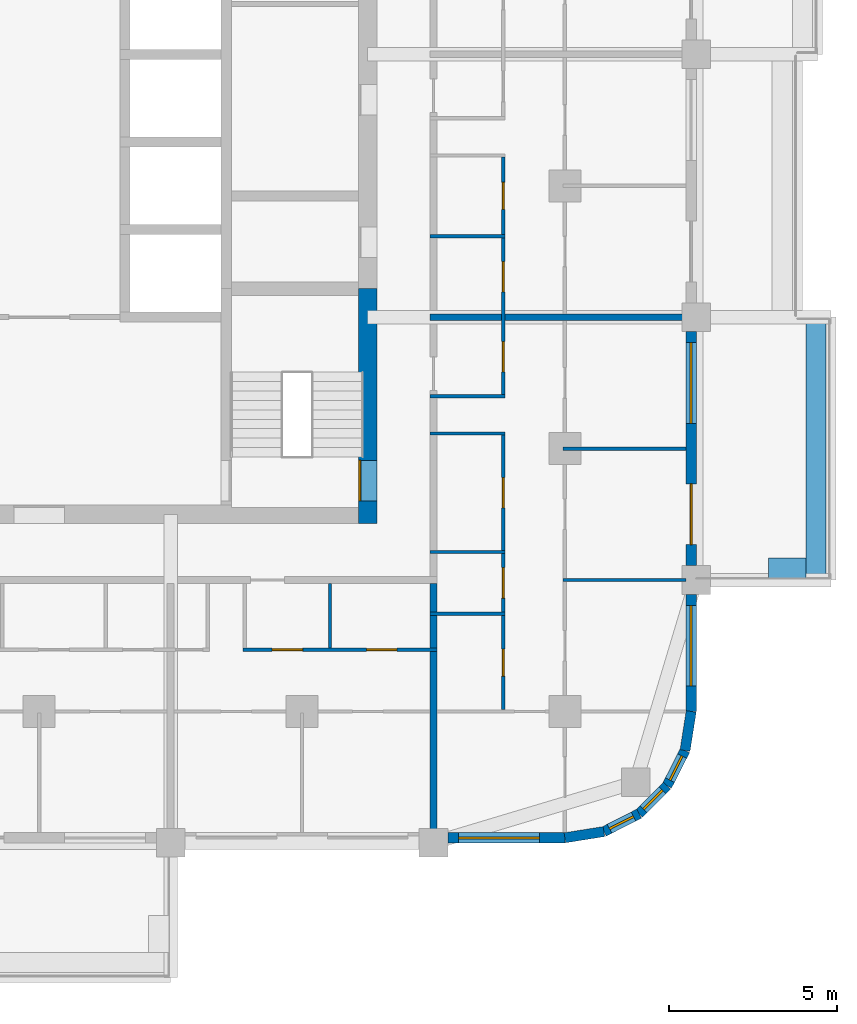
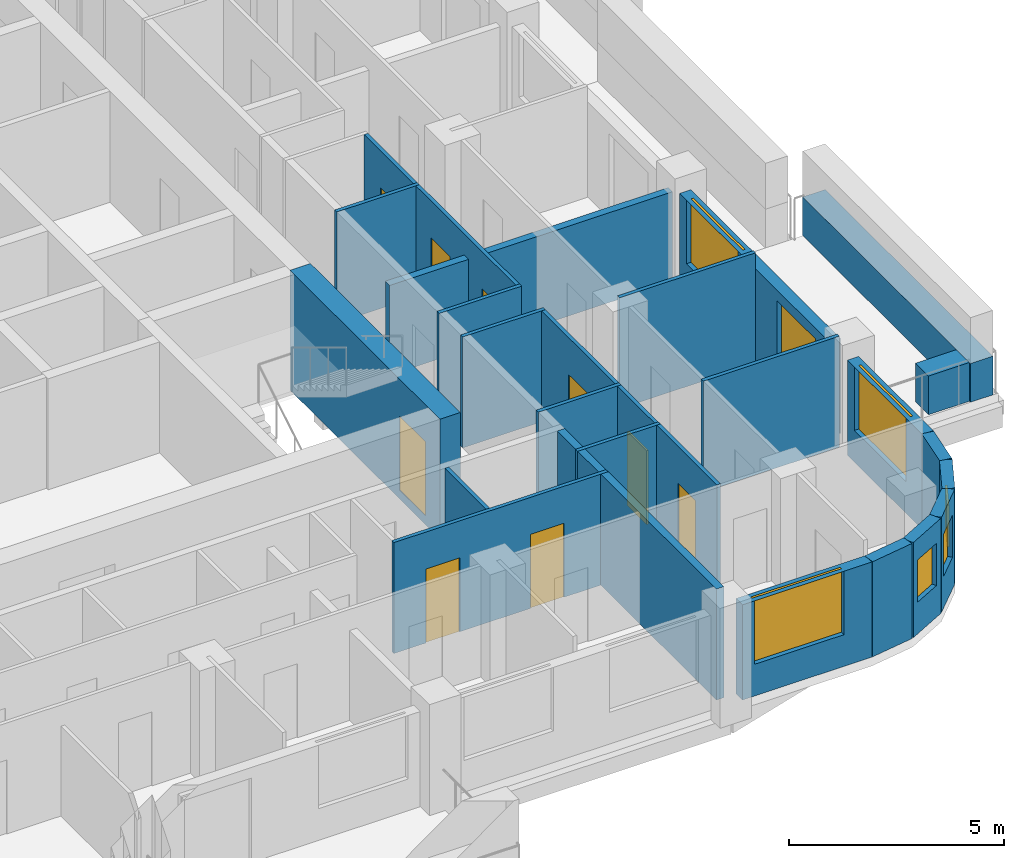
# One storey, part 6 of 14: 24 walls, 10 doors, 6 windows, 16 openings.
"""IFC4 building model written with IfcOpenShell, lengths in metres."""

from ifc_helpers import new_model, si_unit, direction, frame, frame_2d, origin, place, context, subcontext, project, spatial, rectangle, extrude, material, layer, layer_set, type_object, element, fill, save


model = new_model("IFC4")

# Units and contexts
model_context = context("Model", 3, precision=1e-05, world=origin(), true_north=direction((0.0, 1.0)))
body_context = subcontext(model_context, "Body", "Model", "MODEL_VIEW")
ifc_project = project(units=[si_unit("LENGTHUNIT", "METRE"), si_unit("AREAUNIT", "SQUARE_METRE"), si_unit("VOLUMEUNIT", "CUBIC_METRE"), si_unit("PLANEANGLEUNIT", "RADIAN"), si_unit("MASSUNIT", "GRAM", prefix="KILO")], contexts=[model_context])

# Site, building, storey
site_placement = place(None, origin())
site = spatial("IfcSite", under=ifc_project, at=site_placement, CompositionType="ELEMENT")
building_placement = place(site_placement, origin())
building = spatial("IfcBuilding", under=site, at=building_placement, Name="Ludao Terraces", CompositionType="ELEMENT")
storey_placement = place(building_placement, frame((0.0, 0.0, 103.300048828125)))
storey = spatial("IfcBuildingStorey", under=building, at=storey_placement, Name="L28", CompositionType="ELEMENT", Elevation=103.300048828125)

# Wall, opening, door
ifc_material_1 = material(Name="Concrete C60", Category="concrete")
ifc_layer_1 = layer(ifc_material_1, 0.550048828125)
ifc_layer_set_1 = layer_set([ifc_layer_1], Name="Core wall 550 C60")
wall_type_1 = type_object("IfcWallType", Name="Core wall 550 C60", PredefinedType="SOLIDWALL", material=ifc_layer_set_1)
wall_1_placement = place(storey_placement, frame((94.75, 54.97509765625, -0.25), z_axis=(0.0, 0.0, 1.0), x_axis=(0.0, 1.0, 0.0)))
wall_1 = element("IfcWall", 1, at=wall_1_placement, inside=storey, type_object=wall_type_1, Name="Core wall L28 outer-E-S3", PredefinedType="SOLIDWALL", context=body_context, shape_type="SweptSolid", body=[
    extrude(rectangle(XDim=6.974853515625, YDim=0.550048828125, at=frame_2d((3.4873046875, 0.0))), origin(), (0.0, 0.0, 1.0), 3.39990234375),
])
opening_1_placement = place(wall_1_placement, frame((0.675048828125, 0.0, 0.25)))
opening_1 = element("IfcOpeningElement", 2, at=opening_1_placement, cuts=wall_1, Name="Opening R08-034", PredefinedType="OPENING", context=body_context, shape_type="SweptSolid", body=[
    extrude(rectangle(XDim=1.199951171875, YDim=2.10009765625, at=frame_2d((0.60009765625, 1.050048828125))), frame((0.0, 0.28515625, 0.0), z_axis=(0.0, -1.0, 0.0), x_axis=(1.0, 0.0, 0.0)), (0.0, 0.0, 1.0), 0.570068359375),
])
ifc_material_2 = material(Name="Steel Q235", Category="steel")
door_type_1 = type_object("IfcDoorType", Name="INT Stair door 1200", OperationType="DOUBLE_DOOR_SINGLE_SWING", PredefinedType="DOOR", material=ifc_material_2)
door_1_placement = place(opening_1_placement, origin())
door_1 = element("IfcDoor", 3, at=door_1_placement, inside=storey, type_object=door_type_1, Name="DOOR 034", OperationType="DOUBLE_DOOR_SINGLE_SWING", OverallHeight=2.10009765625, OverallWidth=1.199951171875, PredefinedType="DOOR", context=body_context, shape_type="SweptSolid", body=[
    extrude(rectangle(XDim=1.199951171875, YDim=2.10009765625, at=frame_2d((0.60009765625, 1.050048828125))), frame((0.0, 0.26025390625, 0.0), z_axis=(0.0, -1.0, 0.0), x_axis=(1.0, 0.0, 0.0)), (0.0, 0.0, 1.0), 0.050048828125),
])
fill(opening_1, door_1)

# Walls
ifc_material_3 = material(Name="Concrete C40", Category="concrete")
ifc_layer_2 = layer(ifc_material_3, 0.60009765625)
ifc_layer_set_2 = layer_set([ifc_layer_2], Name="ENV Planter trough 600")
wall_type_2 = type_object("IfcWallType", Name="ENV Planter trough 600", PredefinedType="USERDEFINED", material=ifc_layer_set_2)
wall_2_placement = place(storey_placement, frame((108.050048828125, 53.300048828125, 0.0), z_axis=(0.0, 0.0, 1.0), x_axis=(0.0, 1.0, 0.0)))
element("IfcWall", 4, at=wall_2_placement, inside=storey, type_object=wall_type_2, Name="PL-L28-E1", ObjectType="PLANTER", PredefinedType="USERDEFINED", context=body_context, shape_type="SweptSolid", body=[
    extrude(rectangle(XDim=7.800048828125, YDim=0.60009765625, at=frame_2d((3.89990234375, 0.0))), origin(), (0.0, 0.0, 1.0), 1.099853515625),
])
wall_3_placement = place(storey_placement, frame((107.75, 53.64990234375, 0.0), z_axis=(0.0, 0.0, 1.0), x_axis=(-1.0, 0.0, 0.0)))
element("IfcWall", 5, at=wall_3_placement, inside=storey, type_object=wall_type_2, Name="PL-L28-E1-SA", ObjectType="PLANTER", PredefinedType="USERDEFINED", context=body_context, shape_type="SweptSolid", body=[
    extrude(rectangle(XDim=1.10009765625, YDim=0.60009765625, at=frame_2d((0.550048828125, 0.0))), origin(), (0.0, 0.0, 1.0), 1.099853515625),
])

# Wall, opening, window
ifc_material_4 = material(Name="Granite cladding", Category="masonry")
ifc_layer_3 = layer(ifc_material_4, 0.0400390625, Category="stone")
ifc_material_5 = material(Name="Mineral wool")
ifc_layer_4 = layer(ifc_material_5, 0.06005859375)
ifc_layer_5 = layer(ifc_material_3, 0.199951171875, Category="concrete")
ifc_layer_set_3 = layer_set([ifc_layer_3, ifc_layer_4, ifc_layer_5], Name="ENV Stone-clad wall 300")
wall_type_3 = type_object("IfcWallType", Name="ENV Stone-clad wall 300", PredefinedType="SOLIDWALL", material=ifc_layer_set_3)
wall_4_placement = place(storey_placement, frame((97.125, 45.64990234375, 0.0), z_axis=(0.0, 0.0, 1.0), x_axis=(1.0, 0.0, 0.0)))
wall_4 = element("IfcWall", 6, at=wall_4_placement, inside=storey, type_object=wall_type_3, Name="EW-L28-S5", PredefinedType="SOLIDWALL", context=body_context, shape_type="SweptSolid", body=[
    extrude(rectangle(XDim=3.47509765625, YDim=0.300048828125, at=frame_2d((1.737548828125, 0.0))), origin(), (0.0, 0.0, 1.0), 2.699951171875),
])
opening_2_placement = place(wall_4_placement, frame((0.324951171875, 0.0, 0.89990234375)))
opening_2 = element("IfcOpeningElement", 7, at=opening_2_placement, cuts=wall_4, Name="Opening W1", PredefinedType="OPENING", context=body_context, shape_type="SweptSolid", body=[
    extrude(rectangle(XDim=2.39990234375, YDim=1.800048828125, at=frame_2d((1.199951171875, 0.89990234375))), frame((0.0, 0.16015625, 0.0), z_axis=(0.0, -1.0, 0.0), x_axis=(1.0, 0.0, 0.0)), (0.0, 0.0, 1.0), 0.320068359375),
])
ifc_material_6 = material(Name="Clear glass in aluminium frame", Category="aluminium")
ifc_layer_6 = layer(ifc_material_6, 0.06005859375)
ifc_layer_set_4 = layer_set([ifc_layer_6], Name="ENV Window W1 2400x1800")
window_type_1 = type_object("IfcWindowType", Name="ENV Window W1 2400x1800", PartitioningType="DOUBLE_PANEL_VERTICAL", PredefinedType="WINDOW", material=ifc_layer_set_4)
window_1_placement = place(opening_2_placement, origin())
window_1 = element("IfcWindow", 8, at=window_1_placement, inside=storey, type_object=window_type_1, Name="W-L28-S5-1", OverallHeight=1.800048828125, OverallWidth=2.39990234375, PartitioningType="DOUBLE_PANEL_VERTICAL", PredefinedType="WINDOW", context=body_context, shape_type="SweptSolid", body=[
    extrude(rectangle(XDim=2.39990234375, YDim=1.800048828125, at=frame_2d((1.199951171875, 0.89990234375))), frame((0.0, 0.030029296875, 0.0), z_axis=(0.0, -1.0, 0.0), x_axis=(1.0, 0.0, 0.0)), (0.0, 0.0, 1.0), 0.06005859375),
])
fill(opening_2, window_1)

wall_5_placement = place(storey_placement, frame((104.35009765625, 49.39990234375, 0.0), z_axis=(0.0, 0.0, 1.0), x_axis=(0.0, 1.0, 0.0)))
wall_5 = element("IfcWall", 9, at=wall_5_placement, inside=storey, type_object=wall_type_3, Name="EW-L28-E1", PredefinedType="SOLIDWALL", context=body_context, shape_type="SweptSolid", body=[
    extrude(rectangle(XDim=3.47509765625, YDim=0.300048828125, at=frame_2d((1.737548828125, 0.0))), origin(), (0.0, 0.0, 1.0), 2.699951171875),
])
opening_3_placement = place(wall_5_placement, frame((0.75, 0.0, 0.89990234375)))
opening_3 = element("IfcOpeningElement", 10, at=opening_3_placement, cuts=wall_5, Name="Opening W1", PredefinedType="OPENING", context=body_context, shape_type="SweptSolid", body=[
    extrude(rectangle(XDim=2.39990234375, YDim=1.800048828125, at=frame_2d((1.199951171875, 0.89990234375))), frame((0.0, 0.16015625, 0.0), z_axis=(0.0, -1.0, 0.0), x_axis=(1.0, 0.0, 0.0)), (0.0, 0.0, 1.0), 0.320068359375),
])
window_2_placement = place(opening_3_placement, origin())
window_2 = element("IfcWindow", 11, at=window_2_placement, inside=storey, type_object=window_type_1, Name="W-L28-E1-1", OverallHeight=1.800048828125, OverallWidth=2.39990234375, PartitioningType="DOUBLE_PANEL_VERTICAL", PredefinedType="WINDOW", context=body_context, shape_type="SweptSolid", body=[
    extrude(rectangle(XDim=2.39990234375, YDim=1.800048828125, at=frame_2d((1.199951171875, 0.89990234375))), frame((0.0, 0.030029296875, 0.0), z_axis=(0.0, -1.0, 0.0), x_axis=(1.0, 0.0, 0.0)), (0.0, 0.0, 1.0), 0.06005859375),
])
fill(opening_3, window_2)

# Wall, openings, door, window
wall_6_placement = place(storey_placement, frame((104.35009765625, 53.72509765625, 0.0), z_axis=(0.0, 0.0, 1.0), x_axis=(0.0, 1.0, 0.0)))
wall_6 = element("IfcWall", 12, at=wall_6_placement, inside=storey, type_object=wall_type_3, Name="EW-L28-E2", PredefinedType="SOLIDWALL", context=body_context, shape_type="SweptSolid", body=[
    extrude(rectangle(XDim=6.949951171875, YDim=0.300048828125, at=frame_2d((3.47509765625, 0.0))), origin(), (0.0, 0.0, 1.0), 2.699951171875),
])
opening_4_placement = place(wall_6_placement, frame((0.625, 0.0, 0.0)))
opening_4 = element("IfcOpeningElement", 13, at=opening_4_placement, cuts=wall_6, Name="Opening BD", PredefinedType="OPENING", context=body_context, shape_type="SweptSolid", body=[
    extrude(rectangle(XDim=1.800048828125, YDim=2.39990234375, at=frame_2d((0.89990234375, 1.199951171875))), frame((0.0, 0.16015625, 0.0), z_axis=(0.0, -1.0, 0.0), x_axis=(1.0, 0.0, 0.0)), (0.0, 0.0, 1.0), 0.320068359375),
])
opening_5_placement = place(wall_6_placement, frame((4.22509765625, 0.0, 0.89990234375)))
opening_5 = element("IfcOpeningElement", 14, at=opening_5_placement, cuts=wall_6, Name="Opening W1", PredefinedType="OPENING", context=body_context, shape_type="SweptSolid", body=[
    extrude(rectangle(XDim=2.39990234375, YDim=1.800048828125, at=frame_2d((1.199951171875, 0.89990234375))), frame((0.0, 0.16015625, 0.0), z_axis=(0.0, -1.0, 0.0), x_axis=(1.0, 0.0, 0.0)), (0.0, 0.0, 1.0), 0.320068359375),
])
ifc_material_7 = material(Name="Aluminium glazed door", Category="aluminium")
ifc_layer_7 = layer(ifc_material_7, 0.06005859375)
ifc_layer_set_5 = layer_set([ifc_layer_7], Name="ENV Balcony door BD 1800x2400")
door_type_2 = type_object("IfcDoorType", Name="ENV Balcony door BD 1800x2400", OperationType="DOUBLE_DOOR_SINGLE_SWING", PredefinedType="DOOR", material=ifc_layer_set_5)
door_2_placement = place(opening_4_placement, origin())
door_2 = element("IfcDoor", 15, at=door_2_placement, inside=storey, type_object=door_type_2, Name="BD-L28-E2-1", OperationType="DOUBLE_DOOR_SINGLE_SWING", OverallHeight=2.39990234375, OverallWidth=1.800048828125, PredefinedType="DOOR", context=body_context, shape_type="SweptSolid", body=[
    extrude(rectangle(XDim=1.800048828125, YDim=2.39990234375, at=frame_2d((0.89990234375, 1.199951171875))), frame((0.0, 0.02490234375, 0.0), z_axis=(0.0, -1.0, 0.0), x_axis=(1.0, 0.0, 0.0)), (0.0, 0.0, 1.0), 0.050048828125),
])
fill(opening_4, door_2)
window_3_placement = place(opening_5_placement, origin())
window_3 = element("IfcWindow", 16, at=window_3_placement, inside=storey, type_object=window_type_1, Name="W-L28-E2-2", OverallHeight=1.800048828125, OverallWidth=2.39990234375, PartitioningType="DOUBLE_PANEL_VERTICAL", PredefinedType="WINDOW", context=body_context, shape_type="SweptSolid", body=[
    extrude(rectangle(XDim=2.39990234375, YDim=1.800048828125, at=frame_2d((1.199951171875, 0.89990234375))), frame((0.0, 0.030029296875, 0.0), z_axis=(0.0, -1.0, 0.0), x_axis=(1.0, 0.0, 0.0)), (0.0, 0.0, 1.0), 0.06005859375),
])
fill(opening_5, window_3)

# Wall
wall_7_placement = place(storey_placement, frame((100.60009765625, 45.64990234375, 0.0), z_axis=(0.0, 0.0, 1.0), x_axis=(0.987678452879, 0.156496880861, 0.0)))
element("IfcWall", 17, at=wall_7_placement, inside=storey, type_object=wall_type_3, Name="EW-L28-SE1", PredefinedType="SOLIDWALL", context=body_context, shape_type="SweptSolid", body=[
    extrude(rectangle(XDim=1.173095703125, YDim=0.300048828125, at=frame_2d((0.58642578125, 0.0))), origin(), (0.0, 0.0, 1.0), 2.699951171875),
])

# Wall, opening, window
wall_8_placement = place(storey_placement, frame((101.7587890625, 45.83349609375, 0.0), z_axis=(0.0, 0.0, 1.0), x_axis=(0.890988677504, 0.454025524128, 0.0)))
wall_8 = element("IfcWall", 18, at=wall_8_placement, inside=storey, type_object=wall_type_3, Name="EW-L28-SE2", PredefinedType="SOLIDWALL", context=body_context, shape_type="SweptSolid", body=[
    extrude(rectangle(XDim=1.17333984375, YDim=0.300048828125, at=frame_2d((0.586669921875, 0.0))), origin(), (0.0, 0.0, 1.0), 2.699951171875),
])
opening_6_placement = place(wall_8_placement, frame((0.1865234375, 0.0, 0.89990234375)))
opening_6 = element("IfcOpeningElement", 19, at=opening_6_placement, cuts=wall_8, Name="Opening W3", PredefinedType="OPENING", context=body_context, shape_type="SweptSolid", body=[
    extrude(rectangle(XDim=0.800048828125, YDim=1.199951171875, at=frame_2d((0.39990234375, 0.60009765625))), frame((0.0, 0.16015625, 0.0), z_axis=(0.0, -1.0, 0.0), x_axis=(1.0, 0.0, 0.0)), (0.0, 0.0, 1.0), 0.320068359375),
])
ifc_layer_8 = layer(ifc_material_6, 0.06005859375)
ifc_layer_set_6 = layer_set([ifc_layer_8], Name="ENV Window W3 800x1200")
window_type_2 = type_object("IfcWindowType", Name="ENV Window W3 800x1200", PartitioningType="SINGLE_PANEL", PredefinedType="WINDOW", material=ifc_layer_set_6)
window_4_placement = place(opening_6_placement, origin())
window_4 = element("IfcWindow", 20, at=window_4_placement, inside=storey, type_object=window_type_2, Name="W-L28-SE2", OverallHeight=1.199951171875, OverallWidth=0.800048828125, PartitioningType="SINGLE_PANEL", PredefinedType="WINDOW", context=body_context, shape_type="SweptSolid", body=[
    extrude(rectangle(XDim=0.800048828125, YDim=1.199951171875, at=frame_2d((0.39990234375, 0.60009765625))), frame((0.0, 0.030029296875, 0.0), z_axis=(0.0, -1.0, 0.0), x_axis=(1.0, 0.0, 0.0)), (0.0, 0.0, 1.0), 0.06005859375),
])
fill(opening_6, window_4)

wall_9_placement = place(storey_placement, frame((102.80419921875, 46.3662109375, 0.0), z_axis=(0.0, 0.0, 1.0), x_axis=(0.707106781187, 0.707106781187, 0.0)))
wall_9 = element("IfcWall", 21, at=wall_9_placement, inside=storey, type_object=wall_type_3, Name="EW-L28-SE3", PredefinedType="SOLIDWALL", context=body_context, shape_type="SweptSolid", body=[
    extrude(rectangle(XDim=1.173095703125, YDim=0.300048828125, at=frame_2d((0.58642578125, 0.0))), origin(), (0.0, 0.0, 1.0), 2.699951171875),
])
opening_7_placement = place(wall_9_placement, frame((0.1865234375, 0.0, 0.89990234375)))
opening_7 = element("IfcOpeningElement", 22, at=opening_7_placement, cuts=wall_9, Name="Opening W3", PredefinedType="OPENING", context=body_context, shape_type="SweptSolid", body=[
    extrude(rectangle(XDim=0.800048828125, YDim=1.199951171875, at=frame_2d((0.39990234375, 0.60009765625))), frame((0.0, 0.16015625, 0.0), z_axis=(0.0, -1.0, 0.0), x_axis=(1.0, 0.0, 0.0)), (0.0, 0.0, 1.0), 0.320068359375),
])
window_5_placement = place(opening_7_placement, origin())
window_5 = element("IfcWindow", 23, at=window_5_placement, inside=storey, type_object=window_type_2, Name="W-L28-SE3", OverallHeight=1.199951171875, OverallWidth=0.800048828125, PartitioningType="SINGLE_PANEL", PredefinedType="WINDOW", context=body_context, shape_type="SweptSolid", body=[
    extrude(rectangle(XDim=0.800048828125, YDim=1.199951171875, at=frame_2d((0.39990234375, 0.60009765625))), frame((0.0, 0.030029296875, 0.0), z_axis=(0.0, -1.0, 0.0), x_axis=(1.0, 0.0, 0.0)), (0.0, 0.0, 1.0), 0.06005859375),
])
fill(opening_7, window_5)

wall_10_placement = place(storey_placement, frame((103.6337890625, 47.19580078125, 0.0), z_axis=(0.0, 0.0, 1.0), x_axis=(0.454025524128, 0.890988677504, 0.0)))
wall_10 = element("IfcWall", 24, at=wall_10_placement, inside=storey, type_object=wall_type_3, Name="EW-L28-SE4", PredefinedType="SOLIDWALL", context=body_context, shape_type="SweptSolid", body=[
    extrude(rectangle(XDim=1.17333984375, YDim=0.300048828125, at=frame_2d((0.586669921875, 0.0))), origin(), (0.0, 0.0, 1.0), 2.699951171875),
])
opening_8_placement = place(wall_10_placement, frame((0.1865234375, 0.0, 0.89990234375)))
opening_8 = element("IfcOpeningElement", 25, at=opening_8_placement, cuts=wall_10, Name="Opening W3", PredefinedType="OPENING", context=body_context, shape_type="SweptSolid", body=[
    extrude(rectangle(XDim=0.800048828125, YDim=1.199951171875, at=frame_2d((0.39990234375, 0.60009765625))), frame((0.0, 0.16015625, 0.0), z_axis=(0.0, -1.0, 0.0), x_axis=(1.0, 0.0, 0.0)), (0.0, 0.0, 1.0), 0.320068359375),
])
window_6_placement = place(opening_8_placement, origin())
window_6 = element("IfcWindow", 26, at=window_6_placement, inside=storey, type_object=window_type_2, Name="W-L28-SE4", OverallHeight=1.199951171875, OverallWidth=0.800048828125, PartitioningType="SINGLE_PANEL", PredefinedType="WINDOW", context=body_context, shape_type="SweptSolid", body=[
    extrude(rectangle(XDim=0.800048828125, YDim=1.199951171875, at=frame_2d((0.39990234375, 0.60009765625))), frame((0.0, 0.030029296875, 0.0), z_axis=(0.0, -1.0, 0.0), x_axis=(1.0, 0.0, 0.0)), (0.0, 0.0, 1.0), 0.06005859375),
])
fill(opening_8, window_6)

# Wall
wall_11_placement = place(storey_placement, frame((104.16650390625, 48.2412109375, 0.0), z_axis=(0.0, 0.0, 1.0), x_axis=(0.156496880861, 0.987678452879, 0.0)))
element("IfcWall", 27, at=wall_11_placement, inside=storey, type_object=wall_type_3, Name="EW-L28-SE5", PredefinedType="SOLIDWALL", context=body_context, shape_type="SweptSolid", body=[
    extrude(rectangle(XDim=1.173095703125, YDim=0.300048828125, at=frame_2d((0.58642578125, 0.0))), origin(), (0.0, 0.0, 1.0), 2.699951171875),
])

# Wall, openings, doors
ifc_material_8 = material(Name="Gypsum plasterboard", Category="gypsum")
ifc_layer_9 = layer(ifc_material_8, 0.012451171875, Category="gypsum")
ifc_layer_10 = layer(ifc_material_5, 0.06005859375, Name="insulation")
ifc_layer_11 = layer(ifc_material_2, 0.014892578125, Name="stud")
ifc_layer_12 = layer(ifc_material_8, 0.012451171875, Category="gypsum")
ifc_layer_set_7 = layer_set([ifc_layer_9, ifc_layer_10, ifc_layer_11, ifc_layer_12], Name="INT Partition 100")
wall_type_4 = type_object("IfcWallType", Name="INT Partition 100", PredefinedType="PARTITIONING", material=ifc_layer_set_7)
wall_12_placement = place(storey_placement, frame((91.050048828125, 51.22998046875, 0.0), z_axis=(0.0, 0.0, 1.0), x_axis=(1.0, 0.0, 0.0)))
wall_12 = element("IfcWall", 28, at=wall_12_placement, inside=storey, type_object=wall_type_4, Name="PW-L28-PW003", PredefinedType="PARTITIONING", context=body_context, shape_type="SweptSolid", body=[
    extrude(rectangle(XDim=5.75, YDim=0.10009765625, at=frame_2d((2.875, 0.0))), origin(), (0.0, 0.0, 1.0), 3.14990234375),
])
opening_9_placement = place(wall_12_placement, frame((0.864990234375, 0.0, 0.0)))
opening_9 = element("IfcOpeningElement", 29, at=opening_9_placement, cuts=wall_12, Name="Opening R08-020", PredefinedType="OPENING", context=body_context, shape_type="SweptSolid", body=[
    extrude(rectangle(XDim=0.89990234375, YDim=2.10009765625, at=frame_2d((0.449951171875, 1.050048828125))), frame((0.0, 0.06005859375, 0.0), z_axis=(0.0, -1.0, 0.0), x_axis=(1.0, 0.0, 0.0)), (0.0, 0.0, 1.0), 0.1201171875),
])
opening_10_placement = place(wall_12_placement, frame((3.6650390625, 0.0, 0.0)))
opening_10 = element("IfcOpeningElement", 30, at=opening_10_placement, cuts=wall_12, Name="Opening R08-021", PredefinedType="OPENING", context=body_context, shape_type="SweptSolid", body=[
    extrude(rectangle(XDim=0.89990234375, YDim=2.10009765625, at=frame_2d((0.449951171875, 1.050048828125))), frame((0.0, 0.06005859375, 0.0), z_axis=(0.0, -1.0, 0.0), x_axis=(1.0, 0.0, 0.0)), (0.0, 0.0, 1.0), 0.1201171875),
])
ifc_material_9 = material(Name="Timber door leaf", Category="wood")
door_type_3 = type_object("IfcDoorType", Name="INT Bathroom door 900", OperationType="SINGLE_SWING_LEFT", PredefinedType="DOOR", material=ifc_material_9)
door_3_placement = place(opening_9_placement, origin())
door_3 = element("IfcDoor", 31, at=door_3_placement, inside=storey, type_object=door_type_3, Name="DOOR 020", OperationType="SINGLE_SWING_LEFT", OverallHeight=2.10009765625, OverallWidth=0.89990234375, PredefinedType="DOOR", context=body_context, shape_type="SweptSolid", body=[
    extrude(rectangle(XDim=0.89990234375, YDim=2.10009765625, at=frame_2d((0.449951171875, 1.050048828125))), frame((0.0, 0.02490234375, 0.0), z_axis=(0.0, -1.0, 0.0), x_axis=(1.0, 0.0, 0.0)), (0.0, 0.0, 1.0), 0.050048828125),
])
fill(opening_9, door_3)
door_type_4 = type_object("IfcDoorType", Name="INT Room door 900", OperationType="SINGLE_SWING_LEFT", PredefinedType="DOOR", material=ifc_material_9)
door_4_placement = place(opening_10_placement, origin())
door_4 = element("IfcDoor", 32, at=door_4_placement, inside=storey, type_object=door_type_4, Name="DOOR 021", OperationType="SINGLE_SWING_RIGHT", OverallHeight=2.10009765625, OverallWidth=0.89990234375, PredefinedType="DOOR", context=body_context, shape_type="SweptSolid", body=[
    extrude(rectangle(XDim=0.89990234375, YDim=2.10009765625, at=frame_2d((0.449951171875, 1.050048828125))), frame((0.0, 0.02490234375, 0.0), z_axis=(0.0, -1.0, 0.0), x_axis=(1.0, 0.0, 0.0)), (0.0, 0.0, 1.0), 0.050048828125),
])
fill(opening_10, door_4)

# Walls
wall_13_placement = place(storey_placement, frame((96.60009765625, 52.300048828125, 0.0), z_axis=(0.0, 0.0, 1.0), x_axis=(1.0, 0.0, 0.0)))
element("IfcWall", 33, at=wall_13_placement, inside=storey, type_object=wall_type_4, Name="PW-L28-PW005", PredefinedType="PARTITIONING", context=body_context, shape_type="SweptSolid", body=[
    extrude(rectangle(XDim=2.219970703125, YDim=0.10009765625, at=frame_2d((1.10986328125, 0.0))), origin(), (0.0, 0.0, 1.0), 3.14990234375),
])
wall_14_placement = place(storey_placement, frame((100.550048828125, 53.300048828125, 0.0), z_axis=(0.0, 0.0, 1.0), x_axis=(1.0, 0.0, 0.0)))
element("IfcWall", 34, at=wall_14_placement, inside=storey, type_object=wall_type_4, Name="PW-L28-PW008", PredefinedType="PARTITIONING", context=body_context, shape_type="SweptSolid", body=[
    extrude(rectangle(XDim=3.650146484375, YDim=0.10009765625, at=frame_2d((1.8251953125, 0.0))), origin(), (0.0, 0.0, 1.0), 3.14990234375),
])
wall_15_placement = place(storey_placement, frame((96.60009765625, 54.1298828125, 0.0), z_axis=(0.0, 0.0, 1.0), x_axis=(1.0, 0.0, 0.0)))
element("IfcWall", 35, at=wall_15_placement, inside=storey, type_object=wall_type_4, Name="PW-L28-PW010", PredefinedType="PARTITIONING", context=body_context, shape_type="SweptSolid", body=[
    extrude(rectangle(XDim=2.219970703125, YDim=0.10009765625, at=frame_2d((1.10986328125, 0.0))), origin(), (0.0, 0.0, 1.0), 3.14990234375),
])
wall_16_placement = place(storey_placement, frame((100.550048828125, 57.199951171875, 0.0), z_axis=(0.0, 0.0, 1.0), x_axis=(1.0, 0.0, 0.0)))
element("IfcWall", 36, at=wall_16_placement, inside=storey, type_object=wall_type_4, Name="PW-L28-PW013", PredefinedType="PARTITIONING", context=body_context, shape_type="SweptSolid", body=[
    extrude(rectangle(XDim=3.650146484375, YDim=0.10009765625, at=frame_2d((1.8251953125, 0.0))), origin(), (0.0, 0.0, 1.0), 3.14990234375),
])
for number, where, z_axis, x_axis, name in (
    (37, (96.60009765625, 57.64990234375, 0.0), (0.0, 0.0, 1.0), (1.0, 0.0, 0.0), "PW-L28-PW014"),
    (38, (96.60009765625, 58.75, 0.0), (0.0, 0.0, 1.0), (1.0, 0.0, 0.0), "PW-L28-PW016"),
    (39, (96.60009765625, 63.5, 0.0), (0.0, 0.0, 1.0), (1.0, 0.0, 0.0), "PW-L28-PW022"),
):
    element("IfcWall", number, at=place(storey_placement, frame(where, z_axis=z_axis, x_axis=x_axis)), inside=storey, type_object=wall_type_4, Name=name, PredefinedType="PARTITIONING", context=body_context, shape_type="SweptSolid", body=[
        extrude(rectangle(XDim=2.219970703125, YDim=0.10009765625, at=frame_2d((1.10986328125, 0.0))), origin(), (0.0, 0.0, 1.0), 3.14990234375),
    ])
wall_17_placement = place(storey_placement, frame((93.6298828125, 51.280029296875, 0.0), z_axis=(0.0, 0.0, 1.0), x_axis=(0.0, 1.0, 0.0)))
element("IfcWall", 40, at=wall_17_placement, inside=storey, type_object=wall_type_4, Name="PW-L28-PW070", PredefinedType="PARTITIONING", context=body_context, shape_type="SweptSolid", body=[
    extrude(rectangle(XDim=1.920166015625, YDim=0.10009765625, at=frame_2d((0.9599609375, 0.0))), origin(), (0.0, 0.0, 1.0), 3.14990234375),
])

# Wall, openings, doors
wall_18_placement = place(storey_placement, frame((98.77001953125, 49.4501953125, 0.0), z_axis=(0.0, 0.0, 1.0), x_axis=(0.0, 1.0, 0.0)))
wall_18 = element("IfcWall", 41, at=wall_18_placement, inside=storey, type_object=wall_type_4, Name="PW-L28-PW073", PredefinedType="PARTITIONING", context=body_context, shape_type="SweptSolid", body=[
    extrude(rectangle(XDim=8.14990234375, YDim=0.10009765625, at=frame_2d((4.074951171875, 0.0))), origin(), (0.0, 0.0, 1.0), 3.14990234375),
])
opening_11_placement = place(wall_18_placement, frame((1.0, 0.0, 0.0)))
opening_11 = element("IfcOpeningElement", 42, at=opening_11_placement, cuts=wall_18, Name="Opening R08-012", PredefinedType="OPENING", context=body_context, shape_type="SweptSolid", body=[
    extrude(rectangle(XDim=0.800048828125, YDim=2.10009765625, at=frame_2d((0.39990234375, 1.050048828125))), frame((0.0, 0.06005859375, 0.0), z_axis=(0.0, -1.0, 0.0), x_axis=(1.0, 0.0, 0.0)), (0.0, 0.0, 1.0), 0.1201171875),
])
opening_12_placement = place(wall_18_placement, frame((3.31494140625, 0.0, 0.0)))
opening_12 = element("IfcOpeningElement", 43, at=opening_12_placement, cuts=wall_18, Name="Opening R08-025", PredefinedType="OPENING", context=body_context, shape_type="SweptSolid", body=[
    extrude(rectangle(XDim=0.89990234375, YDim=2.10009765625, at=frame_2d((0.449951171875, 1.050048828125))), frame((0.0, 0.06005859375, 0.0), z_axis=(0.0, -1.0, 0.0), x_axis=(1.0, 0.0, 0.0)), (0.0, 0.0, 1.0), 0.1201171875),
])
opening_13_placement = place(wall_18_placement, frame((5.989990234375, 0.0, 0.0)))
opening_13 = element("IfcOpeningElement", 44, at=opening_13_placement, cuts=wall_18, Name="Opening R08-032", PredefinedType="OPENING", context=body_context, shape_type="SweptSolid", body=[
    extrude(rectangle(XDim=0.89990234375, YDim=2.10009765625, at=frame_2d((0.449951171875, 1.050048828125))), frame((0.0, 0.06005859375, 0.0), z_axis=(0.0, -1.0, 0.0), x_axis=(1.0, 0.0, 0.0)), (0.0, 0.0, 1.0), 0.1201171875),
])
door_5_placement = place(opening_12_placement, origin())
door_5 = element("IfcDoor", 45, at=door_5_placement, inside=storey, type_object=door_type_3, Name="DOOR 025", OperationType="SINGLE_SWING_LEFT", OverallHeight=2.10009765625, OverallWidth=0.89990234375, PredefinedType="DOOR", context=body_context, shape_type="SweptSolid", body=[
    extrude(rectangle(XDim=0.89990234375, YDim=2.10009765625, at=frame_2d((0.449951171875, 1.050048828125))), frame((0.0, 0.02490234375, 0.0), z_axis=(0.0, -1.0, 0.0), x_axis=(1.0, 0.0, 0.0)), (0.0, 0.0, 1.0), 0.050048828125),
])
fill(opening_12, door_5)
door_6_placement = place(opening_13_placement, origin())
door_6 = element("IfcDoor", 46, at=door_6_placement, inside=storey, type_object=door_type_4, Name="DOOR 032", OperationType="SINGLE_SWING_LEFT", OverallHeight=2.10009765625, OverallWidth=0.89990234375, PredefinedType="DOOR", context=body_context, shape_type="SweptSolid", body=[
    extrude(rectangle(XDim=0.89990234375, YDim=2.10009765625, at=frame_2d((0.449951171875, 1.050048828125))), frame((0.0, 0.02490234375, 0.0), z_axis=(0.0, -1.0, 0.0), x_axis=(1.0, 0.0, 0.0)), (0.0, 0.0, 1.0), 0.050048828125),
])
fill(opening_13, door_6)
door_type_5 = type_object("IfcDoorType", Name="INT Store door 800", OperationType="SINGLE_SWING_LEFT", PredefinedType="DOOR", material=ifc_material_9)
door_7_placement = place(opening_11_placement, origin())
door_7 = element("IfcDoor", 47, at=door_7_placement, inside=storey, type_object=door_type_5, Name="DOOR 012", OperationType="SINGLE_SWING_RIGHT", OverallHeight=2.10009765625, OverallWidth=0.800048828125, PredefinedType="DOOR", context=body_context, shape_type="SweptSolid", body=[
    extrude(rectangle(XDim=0.800048828125, YDim=2.10009765625, at=frame_2d((0.39990234375, 1.050048828125))), frame((0.0, 0.02490234375, 0.0), z_axis=(0.0, -1.0, 0.0), x_axis=(1.0, 0.0, 0.0)), (0.0, 0.0, 1.0), 0.050048828125),
])
fill(opening_11, door_7)

wall_19_placement = place(storey_placement, frame((98.77001953125, 58.800048828125, 0.0), z_axis=(0.0, 0.0, 1.0), x_axis=(0.0, 1.0, 0.0)))
wall_19 = element("IfcWall", 48, at=wall_19_placement, inside=storey, type_object=wall_type_4, Name="PW-L28-PW074", PredefinedType="PARTITIONING", context=body_context, shape_type="SweptSolid", body=[
    extrude(rectangle(XDim=7.050048828125, YDim=0.10009765625, at=frame_2d((3.52490234375, 0.0))), origin(), (0.0, 0.0, 1.0), 3.14990234375),
])
opening_14_placement = place(wall_19_placement, frame((0.675048828125, 0.0, 0.0)))
opening_14 = element("IfcOpeningElement", 49, at=opening_14_placement, cuts=wall_19, Name="Opening R08-040", PredefinedType="OPENING", context=body_context, shape_type="SweptSolid", body=[
    extrude(rectangle(XDim=0.89990234375, YDim=2.10009765625, at=frame_2d((0.449951171875, 1.050048828125))), frame((0.0, 0.06005859375, 0.0), z_axis=(0.0, -1.0, 0.0), x_axis=(1.0, 0.0, 0.0)), (0.0, 0.0, 1.0), 0.1201171875),
])
opening_15_placement = place(wall_19_placement, frame((3.050048828125, 0.0, 0.0)))
opening_15 = element("IfcOpeningElement", 50, at=opening_15_placement, cuts=wall_19, Name="Opening R08-044", PredefinedType="OPENING", context=body_context, shape_type="SweptSolid", body=[
    extrude(rectangle(XDim=0.89990234375, YDim=2.10009765625, at=frame_2d((0.449951171875, 1.050048828125))), frame((0.0, 0.06005859375, 0.0), z_axis=(0.0, -1.0, 0.0), x_axis=(1.0, 0.0, 0.0)), (0.0, 0.0, 1.0), 0.1201171875),
])
opening_16_placement = place(wall_19_placement, frame((5.5, 0.0, 0.0)))
opening_16 = element("IfcOpeningElement", 51, at=opening_16_placement, cuts=wall_19, Name="Opening R08-051", PredefinedType="OPENING", context=body_context, shape_type="SweptSolid", body=[
    extrude(rectangle(XDim=0.800048828125, YDim=2.10009765625, at=frame_2d((0.39990234375, 1.050048828125))), frame((0.0, 0.06005859375, 0.0), z_axis=(0.0, -1.0, 0.0), x_axis=(1.0, 0.0, 0.0)), (0.0, 0.0, 1.0), 0.1201171875),
])
door_8_placement = place(opening_14_placement, origin())
door_8 = element("IfcDoor", 52, at=door_8_placement, inside=storey, type_object=door_type_3, Name="DOOR 040", OperationType="SINGLE_SWING_RIGHT", OverallHeight=2.10009765625, OverallWidth=0.89990234375, PredefinedType="DOOR", context=body_context, shape_type="SweptSolid", body=[
    extrude(rectangle(XDim=0.89990234375, YDim=2.10009765625, at=frame_2d((0.449951171875, 1.050048828125))), frame((0.0, 0.02490234375, 0.0), z_axis=(0.0, -1.0, 0.0), x_axis=(1.0, 0.0, 0.0)), (0.0, 0.0, 1.0), 0.050048828125),
])
fill(opening_14, door_8)
door_9_placement = place(opening_15_placement, origin())
door_9 = element("IfcDoor", 53, at=door_9_placement, inside=storey, type_object=door_type_3, Name="DOOR 044", OperationType="SINGLE_SWING_LEFT", OverallHeight=2.10009765625, OverallWidth=0.89990234375, PredefinedType="DOOR", context=body_context, shape_type="SweptSolid", body=[
    extrude(rectangle(XDim=0.89990234375, YDim=2.10009765625, at=frame_2d((0.449951171875, 1.050048828125))), frame((0.0, 0.02490234375, 0.0), z_axis=(0.0, -1.0, 0.0), x_axis=(1.0, 0.0, 0.0)), (0.0, 0.0, 1.0), 0.050048828125),
])
fill(opening_15, door_9)
door_10_placement = place(opening_16_placement, origin())
door_10 = element("IfcDoor", 54, at=door_10_placement, inside=storey, type_object=door_type_5, Name="DOOR 051", OperationType="SINGLE_SWING_RIGHT", OverallHeight=2.10009765625, OverallWidth=0.800048828125, PredefinedType="DOOR", context=body_context, shape_type="SweptSolid", body=[
    extrude(rectangle(XDim=0.800048828125, YDim=2.10009765625, at=frame_2d((0.39990234375, 1.050048828125))), frame((0.0, 0.02490234375, 0.0), z_axis=(0.0, -1.0, 0.0), x_axis=(1.0, 0.0, 0.0)), (0.0, 0.0, 1.0), 0.050048828125),
])
fill(opening_16, door_10)

# Walls
ifc_material_10 = material(Name="Autoclaved aerated concrete block B06 A3.5", Category="concrete")
ifc_layer_13 = layer(ifc_material_10, 0.199951171875)
ifc_layer_set_8 = layer_set([ifc_layer_13], Name="INT Party wall 200")
wall_type_5 = type_object("IfcWallType", Name="INT Party wall 200", PredefinedType="PARTITIONING", material=ifc_layer_set_8)
wall_20_placement = place(storey_placement, frame((96.60009765625, 61.10009765625, 0.0), z_axis=(0.0, 0.0, 1.0), x_axis=(1.0, 0.0, 0.0)))
element("IfcWall", 55, at=wall_20_placement, inside=storey, type_object=wall_type_5, Name="PW-L28-PW020", PredefinedType="PARTITIONING", context=body_context, shape_type="SweptSolid", body=[
    extrude(rectangle(XDim=7.60009765625, YDim=0.199951171875, at=frame_2d((3.800048828125, 0.0))), origin(), (0.0, 0.0, 1.0), 2.5498046875),
])
wall_21_placement = place(storey_placement, frame((96.699951171875, 45.800048828125, 0.0), z_axis=(0.0, 0.0, 1.0), x_axis=(0.0, 1.0, 0.0)))
element("IfcWall", 56, at=wall_21_placement, inside=storey, type_object=wall_type_5, Name="PW-L28-PW071", PredefinedType="PARTITIONING", context=body_context, shape_type="SweptSolid", body=[
    extrude(rectangle(XDim=7.400146484375, YDim=0.199951171875, at=frame_2d((3.7001953125, 0.0))), origin(), (0.0, 0.0, 1.0), 3.14990234375),
])

save(model, "model.ifc")
